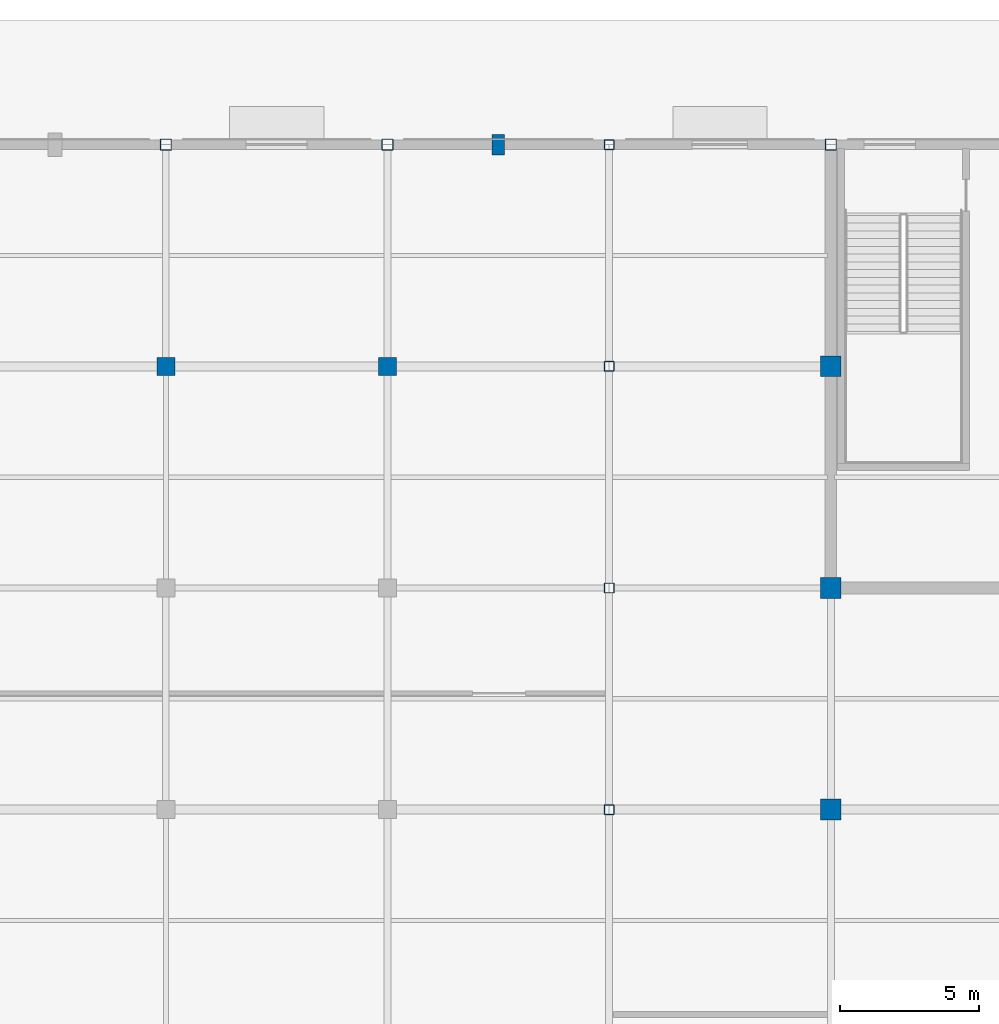
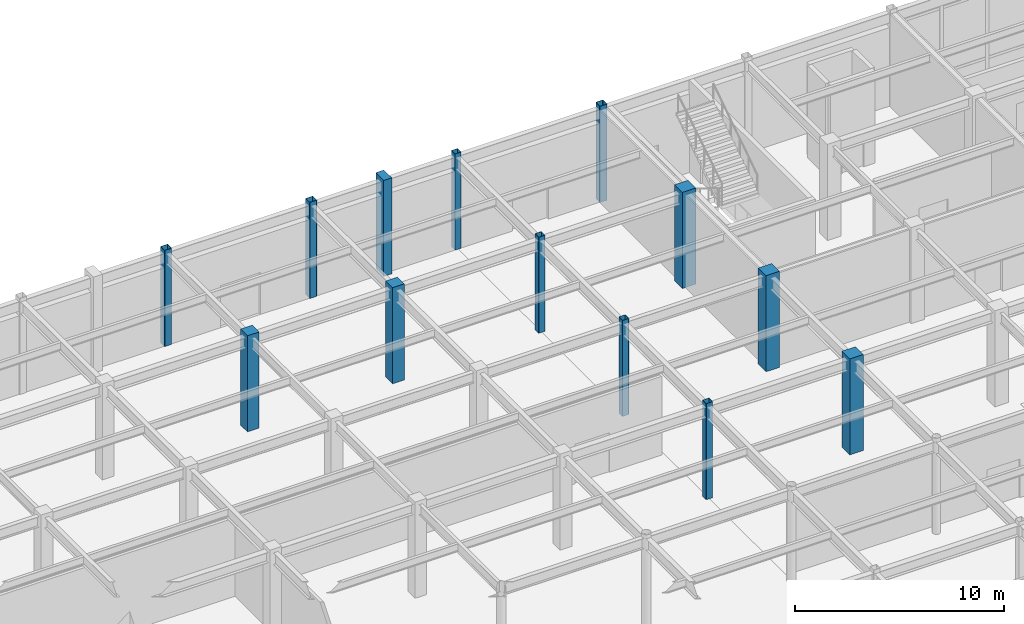
# One storey, part 22 of 128: 13 columns.
"""IFC4 building model written with IfcOpenShell, lengths in metres."""

from ifc_helpers import new_model, si_unit, direction, frame, origin, origin_2d, place, context, subcontext, project, spatial, rectangle, hollow_rectangle, extrude, material, material_profile, profile_set, type_object, element, save


model = new_model("IFC4")

# Units and contexts
model_context = context("Model", 3, precision=1e-05, world=origin(), true_north=direction((0.0, 1.0)))
body_context = subcontext(model_context, "Body", "Model", "MODEL_VIEW")
ifc_project = project(units=[si_unit("LENGTHUNIT", "METRE"), si_unit("AREAUNIT", "SQUARE_METRE"), si_unit("VOLUMEUNIT", "CUBIC_METRE"), si_unit("PLANEANGLEUNIT", "RADIAN"), si_unit("MASSUNIT", "GRAM", prefix="KILO")], contexts=[model_context])

# Site, building, storey
site_placement = place(None, origin())
site = spatial("IfcSite", under=ifc_project, at=site_placement, CompositionType="ELEMENT")
building_placement = place(site_placement, origin())
building = spatial("IfcBuilding", under=site, at=building_placement, Name="Solmirada Galleria", CompositionType="ELEMENT")
storey_placement = place(building_placement, origin())
storey = spatial("IfcBuildingStorey", under=building, at=storey_placement, Name="L00", CompositionType="ELEMENT", Elevation=0.0)

# Columns
ifc_material_1 = material(Name="Steel S355 / ASTM A500 Grade C", Category="steel")
ifc_material_profile_1 = material_profile(ifc_material_1, hollow_rectangle(XDim=0.35595703125, YDim=0.35595703125, WallThickness=0.01171875, InnerFilletRadius=0.01171875, OuterFilletRadius=0.023681640625, at=origin_2d()), Name="HSS14X14X1/2")
ifc_profile_set_1 = profile_set([ifc_material_profile_1], Name="Steel S355 / ASTM A500 Grade C")
column_type_1 = type_object("IfcColumnType", Name="COL-HSS14", PredefinedType="COLUMN", material=ifc_profile_set_1)
for number, where, z_axis, x_axis, name in (
    (1, (120.0, 96.0, 0.0), (0.0, 0.0, 1.0), (1.0, 0.0, 0.0), "Structural column L00-0984"),
    (2, (120.0, 104.0, 0.0), (0.0, 0.0, 1.0), (1.0, 0.0, 0.0), "Structural column L00-0989"),
    (3, (120.0, 112.0, 0.0), (0.0, 0.0, 1.0), (1.0, 0.0, 0.0), "Structural column L00-0994"),
    (4, (120.0, 120.0, 0.0), (0.0, 0.0, 1.0), (1.0, 0.0, 0.0), "Structural column L00-0999"),
):
    element("IfcColumn", number, at=place(storey_placement, frame(where, z_axis=z_axis, x_axis=x_axis)), inside=storey, type_object=column_type_1, Name=name, PredefinedType="COLUMN", context=body_context, shape_type="SweptSolid", body=[
        extrude(hollow_rectangle(XDim=0.35595703125, YDim=0.35595703125, WallThickness=0.01171875, InnerFilletRadius=0.01171875, OuterFilletRadius=0.023681640625, at=origin_2d()), origin(), (0.0, 0.0, 1.0), 5.60009765625),
    ])
ifc_material_profile_2 = material_profile(ifc_material_1, hollow_rectangle(XDim=0.406005859375, YDim=0.406005859375, WallThickness=0.0146484375, InnerFilletRadius=0.0146484375, OuterFilletRadius=0.029296875, at=origin_2d()), Name="HSS16X16X5/8")
ifc_profile_set_2 = profile_set([ifc_material_profile_2], Name="Steel S355 / ASTM A500 Grade C")
column_type_2 = type_object("IfcColumnType", Name="COL-HSS16", PredefinedType="COLUMN", material=ifc_profile_set_2)
for number, where, z_axis, x_axis, name in (
    (5, (104.0, 120.0, 0.0), (0.0, 0.0, 1.0), (1.0, 0.0, 0.0), "Structural column L00-0797"),
    (6, (112.0, 120.0, 0.0), (0.0, 0.0, 1.0), (1.0, 0.0, 0.0), "Structural column L00-0914"),
    (7, (128.0, 120.0, 0.0), (0.0, 0.0, 1.0), (1.0, 0.0, 0.0), "Structural column L00-1096"),
):
    element("IfcColumn", number, at=place(storey_placement, frame(where, z_axis=z_axis, x_axis=x_axis)), inside=storey, type_object=column_type_2, Name=name, PredefinedType="COLUMN", context=body_context, shape_type="SweptSolid", body=[
        extrude(hollow_rectangle(XDim=0.406005859375, YDim=0.406005859375, WallThickness=0.0146484375, InnerFilletRadius=0.0146484375, OuterFilletRadius=0.029296875, at=origin_2d()), origin(), (0.0, 0.0, 1.0), 5.60009765625),
    ])
ifc_material_2 = material(Name="Concrete C40/50", Category="concrete")
ifc_material_profile_3 = material_profile(ifc_material_2, rectangle(XDim=0.64990234375, YDim=0.64990234375, at=origin_2d()), Name="RC650X650")
ifc_profile_set_3 = profile_set([ifc_material_profile_3], Name="Concrete C40/50")
column_type_3 = type_object("IfcColumnType", Name="COL-RC650", PredefinedType="COLUMN", material=ifc_profile_set_3)
for number, where, z_axis, x_axis, name in (
    (8, (104.0, 112.0, 0.0), (0.0, 0.0, 1.0), (1.0, 0.0, 0.0), "Structural column L00-0790"),
    (9, (112.0, 112.0, 0.0), (0.0, 0.0, 1.0), (1.0, 0.0, 0.0), "Structural column L00-0907"),
):
    element("IfcColumn", number, at=place(storey_placement, frame(where, z_axis=z_axis, x_axis=x_axis)), inside=storey, type_object=column_type_3, Name=name, PredefinedType="COLUMN", context=body_context, shape_type="SweptSolid", body=[
        extrude(rectangle(XDim=0.64990234375, YDim=0.64990234375, at=origin_2d()), origin(), (0.0, 0.0, 1.0), 5.60009765625),
    ])
ifc_material_profile_4 = material_profile(ifc_material_2, rectangle(XDim=0.75, YDim=0.75, at=origin_2d()), Name="RC750X750")
ifc_profile_set_4 = profile_set([ifc_material_profile_4], Name="Concrete C40/50")
column_type_4 = type_object("IfcColumnType", Name="COL-RC750", PredefinedType="COLUMN", material=ifc_profile_set_4)
for number, where, z_axis, x_axis, name in (
    (10, (128.0, 96.0, 0.0), (0.0, 0.0, 1.0), (1.0, 0.0, 0.0), "Structural column L00-1069"),
    (11, (128.0, 104.0, 0.0), (0.0, 0.0, 1.0), (1.0, 0.0, 0.0), "Structural column L00-1078"),
    (12, (128.0, 112.0, 0.0), (0.0, 0.0, 1.0), (1.0, 0.0, 0.0), "Structural column L00-1087"),
):
    element("IfcColumn", number, at=place(storey_placement, frame(where, z_axis=z_axis, x_axis=x_axis)), inside=storey, type_object=column_type_4, Name=name, PredefinedType="COLUMN", context=body_context, shape_type="SweptSolid", body=[
        extrude(rectangle(XDim=0.75, YDim=0.75, at=origin_2d()), origin(), (0.0, 0.0, 1.0), 5.60009765625),
    ])
ifc_material_3 = material(Name="Precast concrete C40/50", Category="concrete")
ifc_material_profile_5 = material_profile(ifc_material_3, rectangle(XDim=0.449951171875, YDim=0.75, at=origin_2d()), Name="RC750X450")
ifc_profile_set_5 = profile_set([ifc_material_profile_5], Name="Precast concrete C40/50")
column_type_5 = type_object("IfcColumnType", Name="PIL-RC750", PredefinedType="PILASTER", material=ifc_profile_set_5)
column_placement = place(storey_placement, frame((116.0, 120.0, 0.0), z_axis=(0.0, 0.0, 1.0), x_axis=(1.0, 0.0, 0.0)))
element("IfcColumn", 13, at=column_placement, inside=storey, type_object=column_type_5, Name="Avenue pilaster L00-014", PredefinedType="PILASTER", context=body_context, shape_type="SweptSolid", body=[
    extrude(rectangle(XDim=0.449951171875, YDim=0.75, at=origin_2d()), origin(), (0.0, 0.0, 1.0), 5.60009765625),
])

save(model, "model.ifc")
